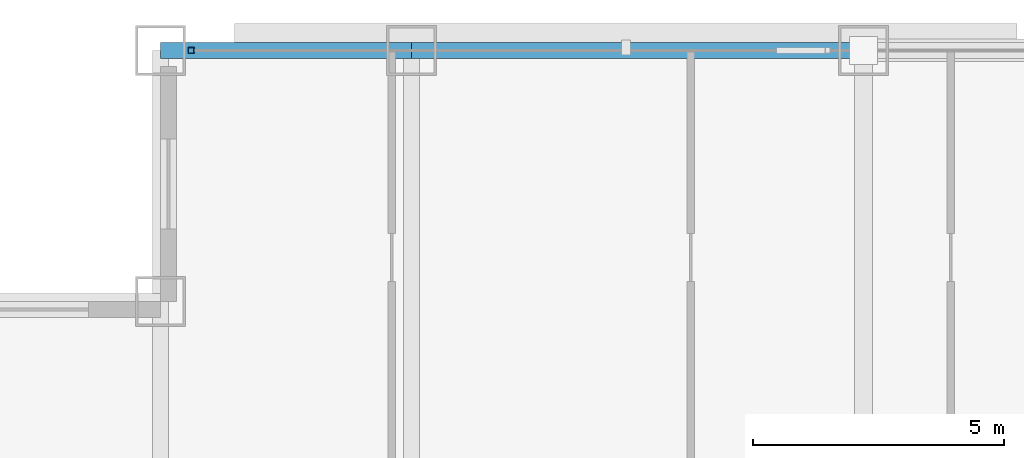
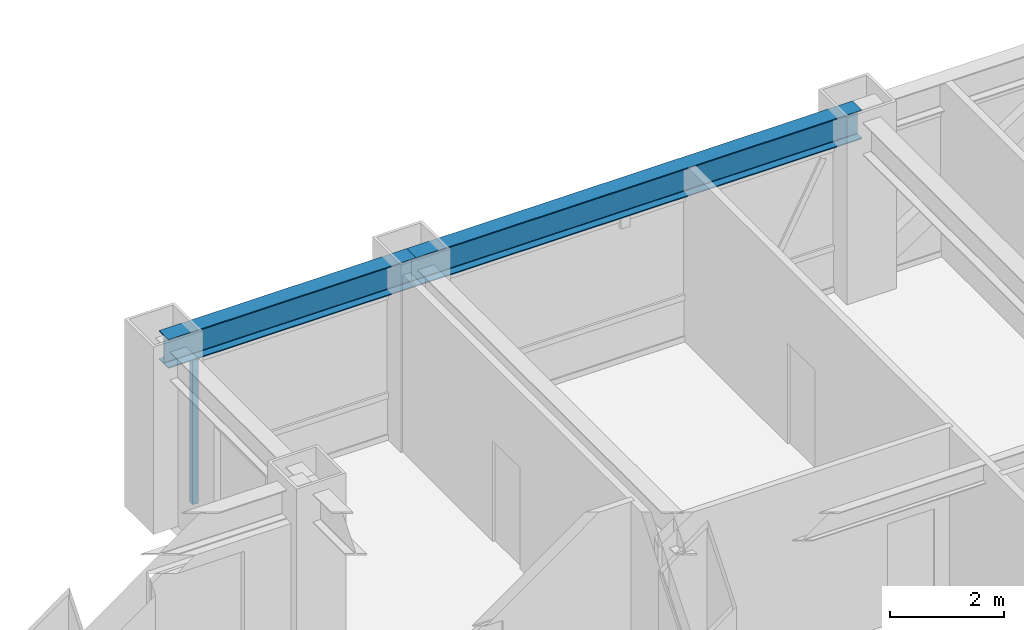
# One storey, part 14 of 29: 2 beams, 1 member, 1 element without a shape of its own.
"""IFC4 building model written with IfcOpenShell, lengths in metres."""

from ifc_helpers import new_model, si_unit, direction, frame, origin, origin_2d, place, context, subcontext, project, spatial, hollow_rectangle, i_section, extrude, source, transform, mapped, material, material_profile, profile_set, type_object, element, aggregate, save


model = new_model("IFC4")

# Units and contexts
model_context = context("Model", 3, precision=1e-05, world=origin(), true_north=direction((0.0, 1.0)))
body_context = subcontext(model_context, "Body", "Model", "MODEL_VIEW")
ifc_project = project(units=[si_unit("LENGTHUNIT", "METRE"), si_unit("AREAUNIT", "SQUARE_METRE"), si_unit("VOLUMEUNIT", "CUBIC_METRE"), si_unit("PLANEANGLEUNIT", "RADIAN"), si_unit("MASSUNIT", "GRAM", prefix="KILO")], contexts=[model_context])

# Site, building, storey
site_placement = place(None, origin())
site = spatial("IfcSite", under=ifc_project, at=site_placement, CompositionType="ELEMENT")
building_placement = place(site_placement, origin())
building = spatial("IfcBuilding", under=site, at=building_placement, Name="Khorayat Bourse Tower", CompositionType="ELEMENT")
storey_placement = place(building_placement, frame((0.0, 0.0, 243.10009765625)))
storey = spatial("IfcBuildingStorey", under=building, at=storey_placement, Name="L57", CompositionType="ELEMENT", Elevation=243.10009765625)

# Beams
ifc_material_1 = material(Name="Steel ASTM A992 Grade 50", Category="steel")
ifc_material_profile_1 = material_profile(ifc_material_1, i_section(OverallWidth=0.324951171875, OverallDepth=0.615966796875, WebThickness=0.013916015625, FlangeThickness=0.021484375, FilletRadius=0.01611328125, at=origin_2d()), Name="W610X174")
ifc_profile_set_1 = profile_set([ifc_material_profile_1], Name="Steel ASTM A992 Grade 50")
beam_type = type_object("IfcBeamType", Name="BM-SPAN-610", PredefinedType="SPANDREL", material=ifc_profile_set_1)
shared_shape_1 = source(origin(), body_context, "Body", "SweptSolid", [
    extrude(i_section(OverallWidth=0.324951171875, OverallDepth=0.615966796875, WebThickness=0.013916015625, FlangeThickness=0.021484375, FilletRadius=0.01611328125, at=origin_2d()), origin(), (0.0, 0.0, 1.0), 9.0),
])
beam_1_placement = place(storey_placement, frame((-20.0, 30.0, 3.471923828125), z_axis=(1.0, 0.0, 0.0), x_axis=(0.0, 1.0, 0.0)))
element("IfcBeam", 1, at=beam_1_placement, inside=storey, type_object=beam_type, Name="L57 BM-SPAN-610 BM-L57-SPN-050", PredefinedType="SPANDREL", context=body_context, shape_type="MappedRepresentation", body=[
    mapped(shared_shape_1, transform((0.0, 0.0, 0.0), scale=1.0)),
])
shared_shape_2 = source(origin(), body_context, "Body", "SweptSolid", [
    extrude(i_section(OverallWidth=0.324951171875, OverallDepth=0.615966796875, WebThickness=0.013916015625, FlangeThickness=0.021484375, FilletRadius=0.01611328125, at=origin_2d()), origin(), (0.0, 0.0, 1.0), 5.0),
])
beam_2_placement = place(storey_placement, frame((-25.0, 30.0, 3.471923828125), z_axis=(1.0, 0.0, 0.0), x_axis=(0.0, 1.0, 0.0)))
element("IfcBeam", 2, at=beam_2_placement, inside=storey, type_object=beam_type, Name="L57 BM-SPAN-610 BM-L57-SPN-051", PredefinedType="SPANDREL", context=body_context, shape_type="MappedRepresentation", body=[
    mapped(shared_shape_2, transform((0.0, 0.0, 0.0), scale=1.0)),
])

# Curtain wall, member
ifc_material_2 = material(Name="Aluminium EN AW-6063 T6", Category="aluminium")
curtain_wall_type = type_object("IfcCurtainWallType", Name="CW-SYS-03", PredefinedType="NOTDEFINED", material=ifc_material_2)
curtain_wall_placement = place(storey_placement, origin())
curtain_wall = element("IfcCurtainWall", 3, at=curtain_wall_placement, inside=storey, type_object=curtain_wall_type, Name="L57 Curtain Wall CW-L57-N1", PredefinedType="NOTDEFINED")
ifc_material_profile_2 = material_profile(ifc_material_2, hollow_rectangle(XDim=0.1201171875, YDim=0.1201171875, WallThickness=0.0048828125, at=origin_2d()), Name="ALU 120x120x5")
ifc_profile_set_2 = profile_set([ifc_material_profile_2], Name="Aluminium EN AW-6063 T6")
member_type = type_object("IfcMemberType", Name="CWM-VERT-120", PredefinedType="MULLION", material=ifc_profile_set_2)
shared_shape_3 = source(origin(), body_context, "Body", "SweptSolid", [
    extrude(hollow_rectangle(XDim=0.1201171875, YDim=0.1201171875, WallThickness=0.0048828125, at=origin_2d()), origin(), (0.0, 0.0, 1.0), 3.1298828125),
])
member_placement = place(storey_placement, frame((-24.389892578125, 30.0, 0.0), z_axis=(0.0, 0.0, 1.0), x_axis=(0.0, 1.0, 0.0)))
member = element("IfcMember", 4, at=member_placement, type_object=member_type, Name="CW-L57-N1 Vertical Mullion 1", PredefinedType="MULLION", context=body_context, shape_type="MappedRepresentation", body=[
    mapped(shared_shape_3, transform((0.0, 0.0, 0.0), scale=1.0)),
])
aggregate(curtain_wall, [member])

save(model, "model.ifc")
